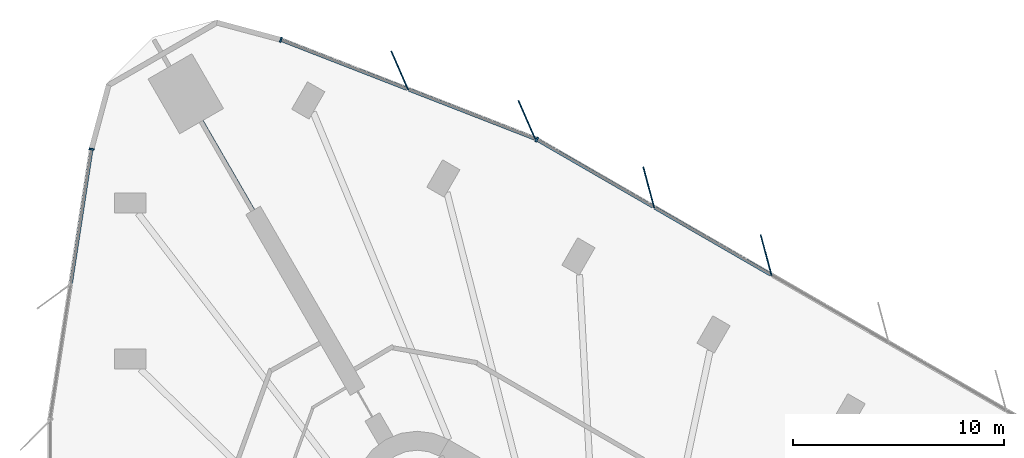
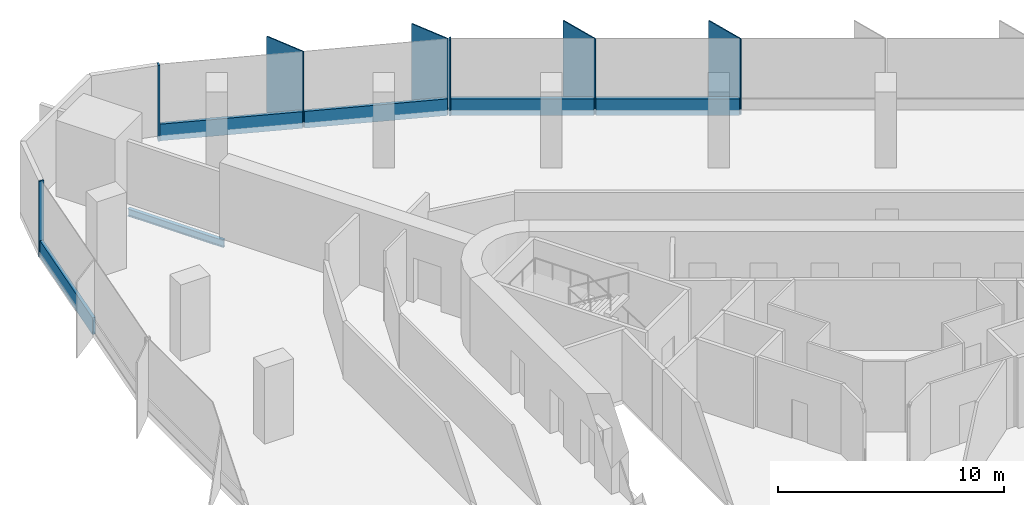
# One storey, part 7 of 15: 12 members, 1 beam, 3 elements without a shape of their own.
"""IFC4 building model written with IfcOpenShell, lengths in metres."""

from ifc_helpers import new_model, si_unit, direction, frame, origin, origin_2d, place, context, subcontext, project, spatial, rectangle, i_section, extrude, material, material_profile, profile_set, type_object, element, aggregate, save


model = new_model("IFC4")

# Units and contexts
model_context = context("Model", 3, precision=1e-05, world=origin(), true_north=direction((0.0, 1.0)))
body_context = subcontext(model_context, "Body", "Model", "MODEL_VIEW")
ifc_project = project(units=[si_unit("LENGTHUNIT", "METRE"), si_unit("AREAUNIT", "SQUARE_METRE"), si_unit("VOLUMEUNIT", "CUBIC_METRE"), si_unit("PLANEANGLEUNIT", "RADIAN"), si_unit("MASSUNIT", "GRAM", prefix="KILO")], contexts=[model_context])

# Site, building, storey
site_placement = place(None, origin())
site = spatial("IfcSite", under=ifc_project, at=site_placement, CompositionType="ELEMENT")
building_placement = place(site_placement, origin())
building = spatial("IfcBuilding", under=site, at=building_placement, Name="Tanit Gate Tower", CompositionType="ELEMENT")
storey_placement = place(building_placement, frame((0.0, 0.0, 135.699951171875)))
storey = spatial("IfcBuildingStorey", under=building, at=storey_placement, Name="L29", CompositionType="ELEMENT", Elevation=135.699951171875)

# Curtain wall, members
ifc_material_1 = material(Name="Aluminium bronze anodised and glass", Category="aluminium")
curtain_wall_type = type_object("IfcCurtainWallType", Name="Curtain wall typical low", PredefinedType="NOTDEFINED", material=ifc_material_1)
curtain_wall_1_placement = place(storey_placement, origin())
curtain_wall_1 = element("IfcCurtainWall", 1, at=curtain_wall_1_placement, inside=storey, type_object=curtain_wall_type, Name="Curtain wall L29 NE2", PredefinedType="NOTDEFINED")
ifc_material_2 = material(Name="Aluminium bronze anodised", Category="aluminium")
ifc_material_profile_1 = material_profile(ifc_material_2, rectangle(XDim=2.0, YDim=0.055908203125, at=origin_2d()), Name="56x2000 bronze fin mullion")
ifc_profile_set_1 = profile_set([ifc_material_profile_1], Name="Aluminium bronze anodised")
member_type_1 = type_object("IfcMemberType", Name="FIN MULLION 56x2000 bronze", PredefinedType="MULLION", material=ifc_profile_set_1)
member_1_placement = place(storey_placement, frame((7.435791015625, 27.10546875, -0.300048828125), z_axis=(0.0, 0.0, 1.0), x_axis=(0.25875206837, -0.965943770162, 0.0)))
member_1 = element("IfcMember", 2, at=member_1_placement, type_object=member_type_1, Name="Fin mullion L29 NE2.5", PredefinedType="MULLION", context=body_context, shape_type="SweptSolid", body=[
    extrude(rectangle(XDim=2.0, YDim=0.055908203125, at=origin_2d()), origin(), (0.0, 0.0, 1.0), 4.10009765625),
])
member_2_placement = place(storey_placement, frame((1.874267578125, 30.317138671875, -0.300048828125), z_axis=(0.0, 0.0, 1.0), x_axis=(0.25875206837, -0.965943770162, 0.0)))
member_2 = element("IfcMember", 3, at=member_2_placement, type_object=member_type_1, Name="Fin mullion L29 NE2.6", PredefinedType="MULLION", context=body_context, shape_type="SweptSolid", body=[
    extrude(rectangle(XDim=2.0, YDim=0.055908203125, at=origin_2d()), origin(), (0.0, 0.0, 1.0), 4.10009765625),
])

curtain_wall_2_placement = place(storey_placement, origin())
curtain_wall_2 = element("IfcCurtainWall", 4, at=curtain_wall_2_placement, inside=storey, type_object=curtain_wall_type, Name="Curtain wall L29 NE3", PredefinedType="NOTDEFINED")
member_3_placement = place(storey_placement, frame((-3.89990234375, 33.513671875, -0.300048828125), z_axis=(0.0, 0.0, 1.0), x_axis=(0.402639503753, -0.915358634644, 0.0)))
member_3 = element("IfcMember", 5, at=member_3_placement, type_object=member_type_1, Name="Fin mullion L29 NE3.1", PredefinedType="MULLION", context=body_context, shape_type="SweptSolid", body=[
    extrude(rectangle(XDim=2.0, YDim=0.055908203125, at=origin_2d()), origin(), (0.0, 0.0, 1.0), 4.10009765625),
])
member_4_placement = place(storey_placement, frame((-9.92626953125, 35.85791015625, -0.300048828125), z_axis=(0.0, 0.0, 1.0), x_axis=(0.402639503753, -0.915358634644, 0.0)))
member_4 = element("IfcMember", 6, at=member_4_placement, type_object=member_type_1, Name="Fin mullion L29 NE3.2", PredefinedType="MULLION", context=body_context, shape_type="SweptSolid", body=[
    extrude(rectangle(XDim=2.0, YDim=0.055908203125, at=origin_2d()), origin(), (0.0, 0.0, 1.0), 4.10009765625),
])

# Member
ifc_material_3 = material(Name="Aluminium bronze anodised", Category="aluminium")
ifc_material_profile_2 = material_profile(ifc_material_3, rectangle(XDim=0.239990234375, YDim=0.080078125, at=origin_2d()), Name="80x240 bronze mullion")
ifc_profile_set_2 = profile_set([ifc_material_profile_2], Name="Aluminium bronze anodised")
member_type_2 = type_object("IfcMemberType", Name="Mullion 80x240 typical low", PredefinedType="MULLION", material=ifc_profile_set_2)
member_5_placement = place(storey_placement, frame((-3.434326171875, 32.58447265625, -0.300048828125), z_axis=(0.0, 0.0, 1.0), x_axis=(-0.500060047936, -0.865990732317, 0.0)))
member_5 = element("IfcMember", 7, at=member_5_placement, type_object=member_type_2, Name="Mullion L29 NE2.7", PredefinedType="MULLION", context=body_context, shape_type="SweptSolid", body=[
    extrude(rectangle(XDim=0.239990234375, YDim=0.080078125, at=origin_2d()), origin(), (0.0, 0.0, 1.0), 4.10009765625),
])

member_6_placement = place(storey_placement, frame((-15.55908203125, 37.3076171875, -0.300048828125), z_axis=(0.0, 0.0, 1.0), x_axis=(-0.362547174298, -0.931965421252, 0.0)))
member_6 = element("IfcMember", 8, at=member_6_placement, type_object=member_type_2, Name="Mullion L29 NE3.3", PredefinedType="MULLION", context=body_context, shape_type="SweptSolid", body=[
    extrude(rectangle(XDim=0.239990234375, YDim=0.080078125, at=origin_2d()), origin(), (0.0, 0.0, 1.0), 4.10009765625),
])

# Curtain wall, member
curtain_wall_3_placement = place(storey_placement, origin())
curtain_wall_3 = element("IfcCurtainWall", 9, at=curtain_wall_3_placement, inside=storey, type_object=curtain_wall_type, Name="Curtain wall L29 W1", PredefinedType="NOTDEFINED")
member_7_placement = place(storey_placement, frame((-24.52978515625, 32.12841796875, -0.300048828125), z_axis=(0.0, 0.0, 1.0), x_axis=(0.988410187402, -0.151806789832, 0.0)))
member_7 = element("IfcMember", 10, at=member_7_placement, type_object=member_type_2, Name="Mullion L29 W1.1", PredefinedType="MULLION", context=body_context, shape_type="SweptSolid", body=[
    extrude(rectangle(XDim=0.239990234375, YDim=0.080078125, at=origin_2d()), origin(), (0.0, 0.0, 1.0), 4.10009765625),
])

# Beam
ifc_material_4 = material(Name="Steel S355", Category="steel")
ifc_material_profile_3 = material_profile(ifc_material_4, i_section(OverallWidth=0.179931640625, OverallDepth=0.39990234375, WebThickness=0.008544921875, FlangeThickness=0.013427734375, FilletRadius=0.02099609375, at=origin_2d()), Name="IPE 400")
ifc_profile_set_3 = profile_set([ifc_material_profile_3], Name="Steel S355")
beam_type = type_object("IfcBeamType", Name="RADIAL GIRDER IPE 400 S355", PredefinedType="BEAM", material=ifc_profile_set_3)
beam_placement = place(storey_placement, frame((-19.31396484375, 33.45263671875, -0.5), z_axis=(0.500002508028, -0.866023955769, 0.0), x_axis=(0.866023955769, 0.500002508028, 0.0)))
element("IfcBeam", 11, at=beam_placement, inside=storey, type_object=beam_type, Name="RADIAL GIRDER", PredefinedType="BEAM", context=body_context, shape_type="SweptSolid", body=[
    extrude(i_section(OverallWidth=0.179931640625, OverallDepth=0.39990234375, WebThickness=0.008544921875, FlangeThickness=0.013427734375, FilletRadius=0.02099609375, at=origin_2d()), origin(), (0.0, 0.0, 1.0), 4.8798828125),
])

# Member
ifc_material_5 = material(Name="Aluminium bronze anodised", Category="aluminium")
ifc_material_profile_4 = material_profile(ifc_material_5, rectangle(XDim=0.159912109375, YDim=0.89990234375, at=origin_2d()), Name="160x900 bronze transom")
ifc_profile_set_4 = profile_set([ifc_material_profile_4], Name="Aluminium bronze anodised")
member_type_3 = type_object("IfcMemberType", Name="Transom 160x900 typical low", PredefinedType="USERDEFINED", material=ifc_profile_set_4)
member_8_placement = place(storey_placement, frame((7.654052734375, 26.181396484375, 0.150146484375), z_axis=(-0.865976587993, 0.500084541901, 0.0), x_axis=(-0.500084541901, -0.865976587993, 0.0)))
member_8 = element("IfcMember", 12, at=member_8_placement, type_object=member_type_3, Name="Transom L29 NE2.5", ObjectType="TRANSOM", PredefinedType="USERDEFINED", context=body_context, shape_type="SweptSolid", body=[
    extrude(rectangle(XDim=0.159912109375, YDim=0.89990234375, at=origin_2d()), origin(), (0.0, 0.0, 1.0), 6.34228515625),
])

member_9_placement = place(storey_placement, frame((2.092529296875, 29.39306640625, 0.150146484375), z_axis=(-0.866002883922, 0.500039003518, 0.0), x_axis=(-0.500039003518, -0.866002883922, 0.0)))
member_9 = element("IfcMember", 13, at=member_9_placement, type_object=member_type_3, Name="Transom L29 NE2.6", ObjectType="TRANSOM", PredefinedType="USERDEFINED", context=body_context, shape_type="SweptSolid", body=[
    extrude(rectangle(XDim=0.159912109375, YDim=0.89990234375, at=origin_2d()), origin(), (0.0, 0.0, 1.0), 6.34228515625),
])

aggregate(curtain_wall_1, [member_1, member_2, member_5, member_8, member_9])

member_10_placement = place(storey_placement, frame((-3.543701171875, 32.633544921875, 0.150146484375), z_axis=(-0.931975253966, 0.362521897262, 0.0), x_axis=(-0.362521897262, -0.931975253966, 0.0)))
member_10 = element("IfcMember", 14, at=member_10_placement, type_object=member_type_3, Name="Transom L29 NE3.1", ObjectType="TRANSOM", PredefinedType="USERDEFINED", context=body_context, shape_type="SweptSolid", body=[
    extrude(rectangle(XDim=0.159912109375, YDim=0.89990234375, at=origin_2d()), origin(), (0.0, 0.0, 1.0), 6.38623046875),
])

member_11_placement = place(storey_placement, frame((-9.570068359375, 34.977783203125, 0.150146484375), z_axis=(-0.931962337581, 0.362555101096, 0.0), x_axis=(-0.362555101096, -0.931962337581, 0.0)))
member_11 = element("IfcMember", 15, at=member_11_placement, type_object=member_type_3, Name="Transom L29 NE3.2", ObjectType="TRANSOM", PredefinedType="USERDEFINED", context=body_context, shape_type="SweptSolid", body=[
    extrude(rectangle(XDim=0.159912109375, YDim=0.89990234375, at=origin_2d()), origin(), (0.0, 0.0, 1.0), 6.386474609375),
])

aggregate(curtain_wall_2, [member_3, member_4, member_6, member_10, member_11])

member_12_placement = place(storey_placement, frame((-24.535888671875, 32.0888671875, 0.150146484375), z_axis=(-0.151812991103, -0.988409234949, 0.0), x_axis=(0.988409234949, -0.151812991103, 0.0)))
member_12 = element("IfcMember", 16, at=member_12_placement, type_object=member_type_3, Name="Transom L29 W1.1", ObjectType="TRANSOM", PredefinedType="USERDEFINED", context=body_context, shape_type="SweptSolid", body=[
    extrude(rectangle(XDim=0.159912109375, YDim=0.89990234375, at=origin_2d()), origin(), (0.0, 0.0, 1.0), 6.385986328125),
])

aggregate(curtain_wall_3, [member_7, member_12])

save(model, "model.ifc")
